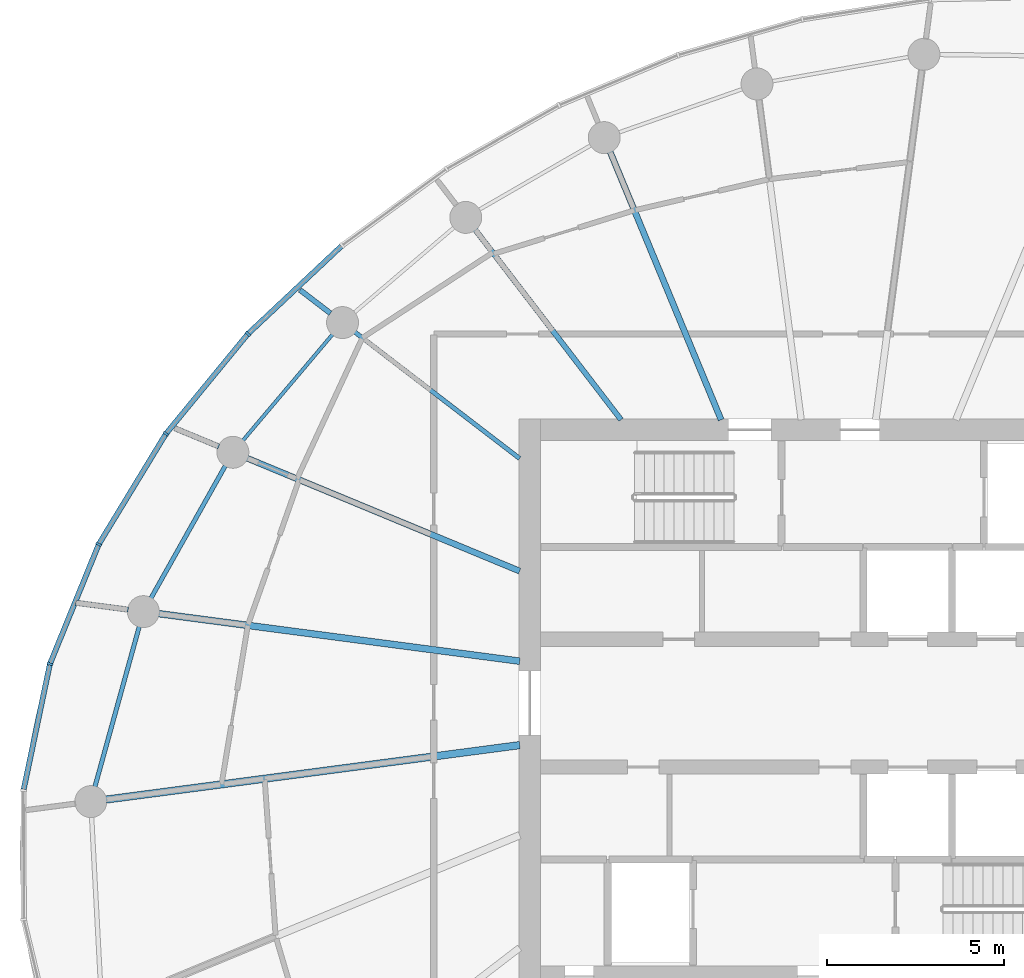
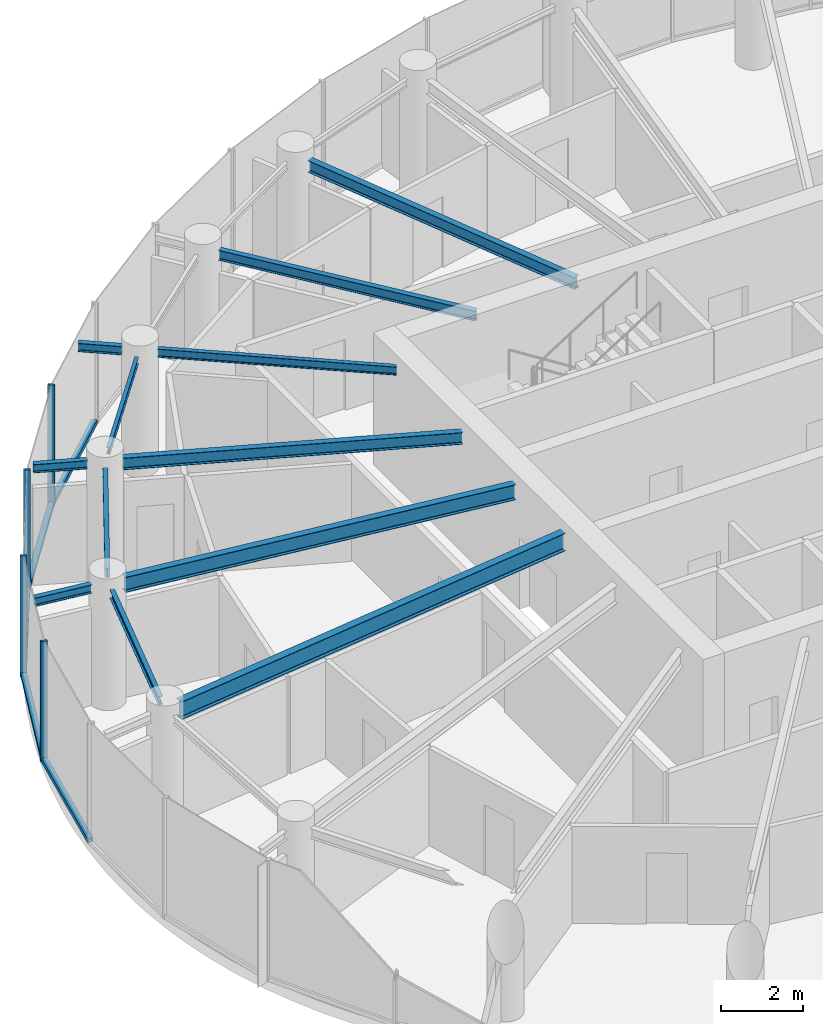
# One storey, part 4 of 13: 12 beams, 9 members, 2 elements without a shape of their own.
"""IFC4 building model written with IfcOpenShell, lengths in metres."""

from ifc_helpers import new_model, si_unit, direction, frame, origin, origin_2d, place, context, subcontext, project, spatial, rectangle, i_section, extrude, source, transform, mapped, material, layer, layer_set, material_profile, profile_set, type_object, element, aggregate, save


model = new_model("IFC4")

# Units and contexts
model_context = context("Model", 3, precision=1e-05, world=origin(), true_north=direction((0.0, 1.0)))
body_context = subcontext(model_context, "Body", "Model", "MODEL_VIEW")
ifc_project = project(units=[si_unit("LENGTHUNIT", "METRE"), si_unit("AREAUNIT", "SQUARE_METRE"), si_unit("VOLUMEUNIT", "CUBIC_METRE"), si_unit("PLANEANGLEUNIT", "RADIAN"), si_unit("MASSUNIT", "GRAM", prefix="KILO")], contexts=[model_context])

# Site, building, storey
site_placement = place(None, origin())
site = spatial("IfcSite", under=ifc_project, at=site_placement, CompositionType="ELEMENT")
building_placement = place(site_placement, origin())
building = spatial("IfcBuilding", under=site, at=building_placement, Name="Spindrift Exchange Tower", CompositionType="ELEMENT")
storey_placement = place(building_placement, frame((0.0, 0.0, 222.800048828125)))
storey = spatial("IfcBuildingStorey", under=building, at=storey_placement, Name="L54", CompositionType="ELEMENT", Elevation=222.800048828125)

# Beams
ifc_material_1 = material(Name="Steel Grade 300", Category="steel")
ifc_material_profile_1 = material_profile(ifc_material_1, i_section(OverallWidth=0.208984375, OverallDepth=0.528076171875, WebThickness=0.009521484375, FlangeThickness=0.01318359375, FilletRadius=0.013916015625, at=origin_2d()), Name="530UB82.0")
ifc_profile_set_1 = profile_set([ifc_material_profile_1], Name="Steel Grade 300")
beam_type_1 = type_object("IfcBeamType", Name="Floor Beam 530UB82.0 Steel Grade 300", PredefinedType="BEAM", material=ifc_profile_set_1)
shared_shape_1 = source(origin(), body_context, "Body", "SweptSolid", [
    extrude(i_section(OverallWidth=0.208984375, OverallDepth=0.528076171875, WebThickness=0.009521484375, FlangeThickness=0.01318359375, FilletRadius=0.013916015625, at=origin_2d()), origin(), (0.0, 0.0, 1.0), 11.75634765625),
])
beam_1_placement = place(storey_placement, frame((43.019775390625, 46.817626953125, 3.31591796875), z_axis=(-0.991445811455, -0.13051897543, 0.0), x_axis=(0.13051897543, -0.991445811455, 0.0)))
element("IfcBeam", 1, at=beam_1_placement, inside=storey, type_object=beam_type_1, Name="L54 radial beam R13A", PredefinedType="BEAM", context=body_context, shape_type="MappedRepresentation", body=[
    mapped(shared_shape_1, transform((0.0, 0.0, 0.0), scale=1.0)),
])
ifc_material_profile_2 = material_profile(ifc_material_1, i_section(OverallWidth=0.1708984375, OverallDepth=0.35205078125, WebThickness=0.0068359375, FlangeThickness=0.009765625, FilletRadius=0.013916015625, at=origin_2d()), Name="360UB44.7")
ifc_profile_set_2 = profile_set([ifc_material_profile_2], Name="Steel Grade 300")
beam_type_2 = type_object("IfcBeamType", Name="Floor Beam 360UB44.7 Steel Grade 300", PredefinedType="BEAM", material=ifc_profile_set_2)
shared_shape_2 = source(origin(), body_context, "Body", "SweptSolid", [
    extrude(i_section(OverallWidth=0.1708984375, OverallDepth=0.35205078125, WebThickness=0.0068359375, FlangeThickness=0.009765625, FilletRadius=0.013916015625, at=origin_2d()), origin(), (0.0, 0.0, 1.0), 8.1748046875),
])
beam_2_placement = place(storey_placement, frame((48.69384765625, 55.9814453125, 3.404052734375), z_axis=(-0.382655117626, 0.923891260352, 0.0), x_axis=(-0.923891260352, -0.382655117626, 0.0)))
element("IfcBeam", 2, at=beam_2_placement, inside=storey, type_object=beam_type_2, Name="L54 radial beam R08A", PredefinedType="BEAM", context=body_context, shape_type="MappedRepresentation", body=[
    mapped(shared_shape_2, transform((0.0, 0.0, 0.0), scale=1.0)),
])
ifc_material_profile_3 = material_profile(ifc_material_1, i_section(OverallWidth=0.14892578125, OverallDepth=0.298095703125, WebThickness=0.005615234375, FlangeThickness=0.008056640625, FilletRadius=0.012939453125, at=origin_2d()), Name="310UB32.0")
ifc_profile_set_3 = profile_set([ifc_material_profile_3], Name="Steel Grade 300")
beam_type_3 = type_object("IfcBeamType", Name="Floor Beam 310UB32.0 Steel Grade 300", PredefinedType="BEAM", material=ifc_profile_set_3)
shared_shape_3 = source(origin(), body_context, "Body", "SweptSolid", [
    extrude(i_section(OverallWidth=0.14892578125, OverallDepth=0.298095703125, WebThickness=0.005615234375, FlangeThickness=0.008056640625, FilletRadius=0.012939453125, at=origin_2d()), origin(), (0.0, 0.0, 1.0), 6.753173828125),
])
beam_3_placement = place(storey_placement, frame((45.87353515625, 55.984130859375, 3.430908203125), z_axis=(-0.608761639459, 0.793353178807, 0.0), x_axis=(-0.793353178807, -0.608761639459, 0.0)))
element("IfcBeam", 3, at=beam_3_placement, inside=storey, type_object=beam_type_3, Name="L54 radial beam R09A", PredefinedType="BEAM", context=body_context, shape_type="MappedRepresentation", body=[
    mapped(shared_shape_3, transform((0.0, 0.0, 0.0), scale=1.0)),
])
ifc_material_profile_4 = material_profile(ifc_material_1, i_section(OverallWidth=0.1240234375, OverallDepth=0.248046875, WebThickness=0.0048828125, FlangeThickness=0.008056640625, FilletRadius=0.011962890625, at=origin_2d()), Name="250UB25.7")
ifc_profile_set_4 = profile_set([ifc_material_profile_4], Name="Steel Grade 300")
beam_type_4 = type_object("IfcBeamType", Name="Floor Beam 250UB25.7 Steel Grade 300", PredefinedType="BEAM", material=ifc_profile_set_4)
shared_shape_4 = source(origin(), body_context, "Body", "SweptSolid", [
    extrude(i_section(OverallWidth=0.1240234375, OverallDepth=0.248046875, WebThickness=0.0048828125, FlangeThickness=0.008056640625, FilletRadius=0.011962890625, at=origin_2d()), origin(), (0.0, 0.0, 1.0), 5.855712890625),
])
beam_4_placement = place(storey_placement, frame((43.015869140625, 54.893798828125, 3.4560546875), z_axis=(-0.793362708479, 0.608749219954, 0.0), x_axis=(-0.608749219954, -0.793362708479, 0.0)))
element("IfcBeam", 4, at=beam_4_placement, inside=storey, type_object=beam_type_4, Name="L54 radial beam R10A", PredefinedType="BEAM", context=body_context, shape_type="MappedRepresentation", body=[
    mapped(shared_shape_4, transform((0.0, 0.0, 0.0), scale=1.0)),
])
shared_shape_5 = source(origin(), body_context, "Body", "SweptSolid", [
    extrude(i_section(OverallWidth=0.1708984375, OverallDepth=0.35205078125, WebThickness=0.0068359375, FlangeThickness=0.009765625, FilletRadius=0.013916015625, at=origin_2d()), origin(), (0.0, 0.0, 1.0), 8.3134765625),
])
beam_5_placement = place(storey_placement, frame((43.0185546875, 51.72021484375, 3.404052734375), z_axis=(-0.923881179957, 0.382679455055, 0.0), x_axis=(-0.382679455055, -0.923881179957, 0.0)))
element("IfcBeam", 5, at=beam_5_placement, inside=storey, type_object=beam_type_2, Name="L54 radial beam R11A", PredefinedType="BEAM", context=body_context, shape_type="MappedRepresentation", body=[
    mapped(shared_shape_5, transform((0.0, 0.0, 0.0), scale=1.0)),
])
ifc_material_profile_5 = material_profile(ifc_material_1, i_section(OverallWidth=0.18994140625, OverallDepth=0.4541015625, WebThickness=0.008544921875, FlangeThickness=0.0126953125, FilletRadius=0.013916015625, at=origin_2d()), Name="460UB67.1")
ifc_profile_set_5 = profile_set([ifc_material_profile_5], Name="Steel Grade 300")
beam_type_5 = type_object("IfcBeamType", Name="Floor Beam 460UB67.1 Steel Grade 300", PredefinedType="BEAM", material=ifc_profile_set_5)
shared_shape_6 = source(origin(), body_context, "Body", "SweptSolid", [
    extrude(i_section(OverallWidth=0.18994140625, OverallDepth=0.4541015625, WebThickness=0.008544921875, FlangeThickness=0.0126953125, FilletRadius=0.013916015625, at=origin_2d()), origin(), (0.0, 0.0, 1.0), 10.262451171875),
])
beam_6_placement = place(storey_placement, frame((43.019775390625, 49.182373046875, 3.35302734375), z_axis=(-0.991446763371, 0.130511744304, 0.0), x_axis=(-0.130511744304, -0.991446763371, 0.0)))
element("IfcBeam", 6, at=beam_6_placement, inside=storey, type_object=beam_type_5, Name="L54 radial beam R12A", PredefinedType="BEAM", context=body_context, shape_type="MappedRepresentation", body=[
    mapped(shared_shape_6, transform((0.0, 0.0, 0.0), scale=1.0)),
])
ifc_material_profile_6 = material_profile(ifc_material_1, i_section(OverallWidth=0.09912109375, OverallDepth=0.197998046875, WebThickness=0.00439453125, FlangeThickness=0.007080078125, FilletRadius=0.010986328125, at=origin_2d()), Name="200UB18.2")
ifc_profile_set_6 = profile_set([ifc_material_profile_6], Name="Steel Grade 300")
beam_type_6 = type_object("IfcBeamType", Name="Edge Beam 200UB18.2 Steel Grade 300", PredefinedType="SPANDREL", material=ifc_profile_set_6)
shared_shape_7 = source(origin(), body_context, "Body", "SweptSolid", [
    extrude(i_section(OverallWidth=0.09912109375, OverallDepth=0.197998046875, WebThickness=0.00439453125, FlangeThickness=0.007080078125, FilletRadius=0.010986328125, at=origin_2d()), origin(), (0.0, 0.0, 1.0), 3.92431640625),
])
beam_7_placement = place(storey_placement, frame((37.75146484375, 58.391845703125, 3.48095703125), z_axis=(-0.645498720032, -0.763761351757, 0.0), x_axis=(0.763761351757, -0.645498720032, 0.0)))
element("IfcBeam", 7, at=beam_7_placement, inside=storey, type_object=beam_type_6, Name="L54 edge beam E10", PredefinedType="SPANDREL", context=body_context, shape_type="MappedRepresentation", body=[
    mapped(shared_shape_7, transform((0.0, 0.0, 0.0), scale=1.0)),
])
ifc_material_profile_7 = material_profile(ifc_material_1, i_section(OverallWidth=0.1240234375, OverallDepth=0.248046875, WebThickness=0.0048828125, FlangeThickness=0.008056640625, FilletRadius=0.011962890625, at=origin_2d()), Name="250UB25.7")
ifc_profile_set_7 = profile_set([ifc_material_profile_7], Name="Steel Grade 300")
beam_type_7 = type_object("IfcBeamType", Name="Edge Beam 250UB25.7 Steel Grade 300", PredefinedType="SPANDREL", material=ifc_profile_set_7)
shared_shape_8 = source(origin(), body_context, "Body", "SweptSolid", [
    extrude(i_section(OverallWidth=0.1240234375, OverallDepth=0.248046875, WebThickness=0.0048828125, FlangeThickness=0.008056640625, FilletRadius=0.011962890625, at=origin_2d()), origin(), (0.0, 0.0, 1.0), 4.2880859375),
])
beam_8_placement = place(storey_placement, frame((34.72998046875, 54.69140625, 3.4560546875), z_axis=(-0.489804347673, -0.871832381253, 0.0), x_axis=(0.871832381253, -0.489804347673, 0.0)))
element("IfcBeam", 8, at=beam_8_placement, inside=storey, type_object=beam_type_7, Name="L54 edge beam E11", PredefinedType="SPANDREL", context=body_context, shape_type="MappedRepresentation", body=[
    mapped(shared_shape_8, transform((0.0, 0.0, 0.0), scale=1.0)),
])
shared_shape_9 = source(origin(), body_context, "Body", "SweptSolid", [
    extrude(i_section(OverallWidth=0.1240234375, OverallDepth=0.248046875, WebThickness=0.0048828125, FlangeThickness=0.008056640625, FilletRadius=0.011962890625, at=origin_2d()), origin(), (0.0, 0.0, 1.0), 4.69189453125),
])
beam_9_placement = place(storey_placement, frame((32.30419921875, 50.16357421875, 3.4560546875), z_axis=(-0.266774248618, -0.963759046792, 0.0), x_axis=(0.963759046792, -0.266774248618, 0.0)))
element("IfcBeam", 9, at=beam_9_placement, inside=storey, type_object=beam_type_7, Name="L54 edge beam E12", PredefinedType="SPANDREL", context=body_context, shape_type="MappedRepresentation", body=[
    mapped(shared_shape_9, transform((0.0, 0.0, 0.0), scale=1.0)),
])
ifc_material_profile_8 = material_profile(ifc_material_1, i_section(OverallWidth=0.14599609375, OverallDepth=0.251953125, WebThickness=0.006103515625, FlangeThickness=0.008544921875, FilletRadius=0.011962890625, at=origin_2d()), Name="250UB31.4")
ifc_profile_set_8 = profile_set([ifc_material_profile_8], Name="Steel Grade 300")
beam_type_8 = type_object("IfcBeamType", Name="Cantilever Beam 250UB31.4 Steel Grade 300", PredefinedType="BEAM", material=ifc_profile_set_8)
shared_shape_10 = source(origin(), body_context, "Body", "SweptSolid", [
    extrude(i_section(OverallWidth=0.14599609375, OverallDepth=0.251953125, WebThickness=0.006103515625, FlangeThickness=0.008544921875, FilletRadius=0.011962890625, at=origin_2d()), origin(), (0.0, 0.0, 1.0), 1.079833984375),
])
beam_10_placement = place(storey_placement, frame((37.68798828125, 58.982177734375, 3.453857421875), z_axis=(-0.793413441208, 0.608683095962, 0.0), x_axis=(-0.608683095962, -0.793413441208, 0.0)))
element("IfcBeam", 10, at=beam_10_placement, inside=storey, type_object=beam_type_8, Name="L54 cantilever beam R10T", PredefinedType="BEAM", context=body_context, shape_type="MappedRepresentation", body=[
    mapped(shared_shape_10, transform((0.0, 0.0, 0.0), scale=1.0)),
])
shared_shape_11 = source(origin(), body_context, "Body", "SweptSolid", [
    extrude(i_section(OverallWidth=0.14599609375, OverallDepth=0.251953125, WebThickness=0.006103515625, FlangeThickness=0.008544921875, FilletRadius=0.011962890625, at=origin_2d()), origin(), (0.0, 0.0, 1.0), 1.33056640625),
])
beam_11_placement = place(storey_placement, frame((34.543212890625, 55.230712890625, 3.453857421875), z_axis=(-0.92385132925, 0.382751513965, 0.0), x_axis=(-0.382751513965, -0.92385132925, 0.0)))
element("IfcBeam", 11, at=beam_11_placement, inside=storey, type_object=beam_type_8, Name="L54 cantilever beam R11T", PredefinedType="BEAM", context=body_context, shape_type="MappedRepresentation", body=[
    mapped(shared_shape_11, transform((0.0, 0.0, 0.0), scale=1.0)),
])
shared_shape_12 = source(origin(), body_context, "Body", "SweptSolid", [
    extrude(i_section(OverallWidth=0.14599609375, OverallDepth=0.251953125, WebThickness=0.006103515625, FlangeThickness=0.008544921875, FilletRadius=0.011962890625, at=origin_2d()), origin(), (0.0, 0.0, 1.0), 1.484375),
])
beam_12_placement = place(storey_placement, frame((31.99267578125, 50.634033203125, 3.453857421875), z_axis=(-0.991436372309, 0.13059065687, 0.0), x_axis=(-0.13059065687, -0.991436372309, 0.0)))
element("IfcBeam", 12, at=beam_12_placement, inside=storey, type_object=beam_type_8, Name="L54 cantilever beam R12T", PredefinedType="BEAM", context=body_context, shape_type="MappedRepresentation", body=[
    mapped(shared_shape_12, transform((0.0, 0.0, 0.0), scale=1.0)),
])

# Curtain wall, members
ifc_material_2 = material(Name="Fritted laminated glass with bronze frame", Category="glass")
ifc_layer = layer(ifc_material_2, 0.169921875)
ifc_layer_set = layer_set([ifc_layer], Name="ZONE 4 BRONZE FRITTED WALL")
curtain_wall_type = type_object("IfcCurtainWallType", Name="ZONE 4 BRONZE FRITTED WALL", PredefinedType="NOTDEFINED", material=ifc_layer_set)
curtain_wall_1_placement = place(storey_placement, origin())
curtain_wall_1 = element("IfcCurtainWall", 13, at=curtain_wall_1_placement, inside=storey, type_object=curtain_wall_type, Name="L54 Zone 4 Bronze Fritted Wall run 3", PredefinedType="NOTDEFINED")
ifc_material_3 = material(Name="Bronze anodised aluminium", Category="aluminium")
ifc_material_profile_9 = material_profile(ifc_material_3, rectangle(XDim=0.06494140625, YDim=0.169921875, at=origin_2d()), Name="ZONE 4 BRONZE FRITTED WALL MULLION 65X170")
ifc_profile_set_9 = profile_set([ifc_material_profile_9], Name="Bronze anodised aluminium")
member_type_1 = type_object("IfcMemberType", Name="ZONE 4 BRONZE FRITTED WALL MULLION 65X170", PredefinedType="MULLION", material=ifc_profile_set_9)
shared_shape_13 = source(origin(), body_context, "Body", "SweptSolid", [
    extrude(rectangle(XDim=0.06494140625, YDim=0.169921875, at=origin_2d()), origin(), (0.0, 0.0, 1.0), 3.579833984375),
])
member_1_placement = place(storey_placement, frame((35.36279296875, 58.40185546875, 0.0), z_axis=(0.0, 0.0, 1.0), x_axis=(-0.683203747394, -0.730227799763, 0.0)))
member_1 = element("IfcMember", 14, at=member_1_placement, type_object=member_type_1, Name="L54 mullion CW-4.13", PredefinedType="MULLION", context=body_context, shape_type="MappedRepresentation", body=[
    mapped(shared_shape_13, transform((0.0, 0.0, 0.0), scale=1.0)),
])
member_2_placement = place(storey_placement, frame((33.051513671875, 55.5869140625, 0.0), z_axis=(0.0, 0.0, 1.0), x_axis=(-0.578392427696, -0.815758665038, 0.0)))
member_2 = element("IfcMember", 15, at=member_2_placement, type_object=member_type_1, Name="L54 mullion CW-4.14", PredefinedType="MULLION", context=body_context, shape_type="MappedRepresentation", body=[
    mapped(shared_shape_13, transform((0.0, 0.0, 0.0), scale=1.0)),
])
member_3_placement = place(storey_placement, frame((31.16064453125, 52.47509765625, 0.0), z_axis=(0.0, 0.0, 1.0), x_axis=(-0.449935308125, -0.893061150483, 0.0)))
member_3 = element("IfcMember", 16, at=member_3_placement, type_object=member_type_1, Name="L54 mullion CW-4.15", PredefinedType="MULLION", context=body_context, shape_type="MappedRepresentation", body=[
    mapped(shared_shape_13, transform((0.0, 0.0, 0.0), scale=1.0)),
])
member_4_placement = place(storey_placement, frame((29.785400390625, 49.104248046875, 0.0), z_axis=(0.0, 0.0, 1.0), x_axis=(-0.292472424481, -0.956273957043, 0.0)))
member_4 = element("IfcMember", 17, at=member_4_placement, type_object=member_type_1, Name="L54 mullion CW-4.16", PredefinedType="MULLION", context=body_context, shape_type="MappedRepresentation", body=[
    mapped(shared_shape_13, transform((0.0, 0.0, 0.0), scale=1.0)),
])

# Curtain wall, member
curtain_wall_2_placement = place(storey_placement, origin())
curtain_wall_2 = element("IfcCurtainWall", 18, at=curtain_wall_2_placement, inside=storey, type_object=curtain_wall_type, Name="L54 Zone 4 Bronze Fritted Wall run 2", PredefinedType="NOTDEFINED")
ifc_material_profile_10 = material_profile(ifc_material_3, rectangle(XDim=0.14990234375, YDim=0.125, at=origin_2d()), Name="ZONE 4 BRONZE FRITTED WALL TRANSOM 150X125")
ifc_profile_set_10 = profile_set([ifc_material_profile_10], Name="Bronze anodised aluminium")
member_type_2 = type_object("IfcMemberType", Name="ZONE 4 BRONZE FRITTED WALL TRANSOM 150X125", PredefinedType="USERDEFINED", material=ifc_profile_set_10)
shared_shape_14 = source(origin(), body_context, "Body", "SweptSolid", [
    extrude(rectangle(XDim=0.14990234375, YDim=0.125, at=origin_2d()), origin(), (0.0, 0.0, 1.0), 3.57763671875),
])
member_5_placement = place(storey_placement, frame((37.99462890625, 60.873046875, 0.0625), z_axis=(-0.729002840683, -0.684510670681, 0.0), x_axis=(0.684510670681, -0.729002840683, 0.0)))
member_5 = element("IfcMember", 19, at=member_5_placement, type_object=member_type_2, Name="L54 transom CW-4.12", ObjectType="TRANSOM", PredefinedType="USERDEFINED", context=body_context, shape_type="MappedRepresentation", body=[
    mapped(shared_shape_14, transform((0.0, 0.0, 0.0), scale=1.0)),
])
aggregate(curtain_wall_2, [member_5])

# Member
shared_shape_15 = source(origin(), body_context, "Body", "SweptSolid", [
    extrude(rectangle(XDim=0.14990234375, YDim=0.125, at=origin_2d()), origin(), (0.0, 0.0, 1.0), 3.5771484375),
])
member_6_placement = place(storey_placement, frame((35.34228515625, 58.376708984375, 0.0625), z_axis=(-0.634582223663, -0.772855356073, 0.0), x_axis=(0.772855356073, -0.634582223663, 0.0)))
member_6 = element("IfcMember", 20, at=member_6_placement, type_object=member_type_2, Name="L54 transom CW-4.13", ObjectType="TRANSOM", PredefinedType="USERDEFINED", context=body_context, shape_type="MappedRepresentation", body=[
    mapped(shared_shape_15, transform((0.0, 0.0, 0.0), scale=1.0)),
])

shared_shape_16 = source(origin(), body_context, "Body", "SweptSolid", [
    extrude(rectangle(XDim=0.14990234375, YDim=0.125, at=origin_2d()), origin(), (0.0, 0.0, 1.0), 3.575439453125),
])
member_7_placement = place(storey_placement, frame((31.1484375, 52.44482421875, 0.0625), z_axis=(-0.377797852757, -0.925888104715, 0.0), x_axis=(0.925888104715, -0.377797852757, 0.0)))
member_7 = element("IfcMember", 21, at=member_7_placement, type_object=member_type_2, Name="L54 transom CW-4.15", ObjectType="TRANSOM", PredefinedType="USERDEFINED", context=body_context, shape_type="MappedRepresentation", body=[
    mapped(shared_shape_16, transform((0.0, 0.0, 0.0), scale=1.0)),
])

shared_shape_17 = source(origin(), body_context, "Body", "SweptSolid", [
    extrude(rectangle(XDim=0.14990234375, YDim=0.125, at=origin_2d()), origin(), (0.0, 0.0, 1.0), 3.57666015625),
])
member_8_placement = place(storey_placement, frame((33.03466796875, 55.559326171875, 0.0625), z_axis=(-0.519255982795, -0.854618759642, 0.0), x_axis=(0.854618759642, -0.519255982795, 0.0)))
member_8 = element("IfcMember", 22, at=member_8_placement, type_object=member_type_2, Name="L54 transom CW-4.14", ObjectType="TRANSOM", PredefinedType="USERDEFINED", context=body_context, shape_type="MappedRepresentation", body=[
    mapped(shared_shape_17, transform((0.0, 0.0, 0.0), scale=1.0)),
])

shared_shape_18 = source(origin(), body_context, "Body", "SweptSolid", [
    extrude(rectangle(XDim=0.14990234375, YDim=0.125, at=origin_2d()), origin(), (0.0, 0.0, 1.0), 3.57421875),
])
member_9_placement = place(storey_placement, frame((29.77880859375, 49.072509765625, 0.0625), z_axis=(-0.204777931547, -0.978808458663, 0.0), x_axis=(0.978808458663, -0.204777931547, 0.0)))
member_9 = element("IfcMember", 23, at=member_9_placement, type_object=member_type_2, Name="L54 transom CW-4.16", ObjectType="TRANSOM", PredefinedType="USERDEFINED", context=body_context, shape_type="MappedRepresentation", body=[
    mapped(shared_shape_18, transform((0.0, 0.0, 0.0), scale=1.0)),
])

aggregate(curtain_wall_1, [member_1, member_6, member_2, member_8, member_3, member_7, member_4, member_9])

save(model, "model.ifc")
